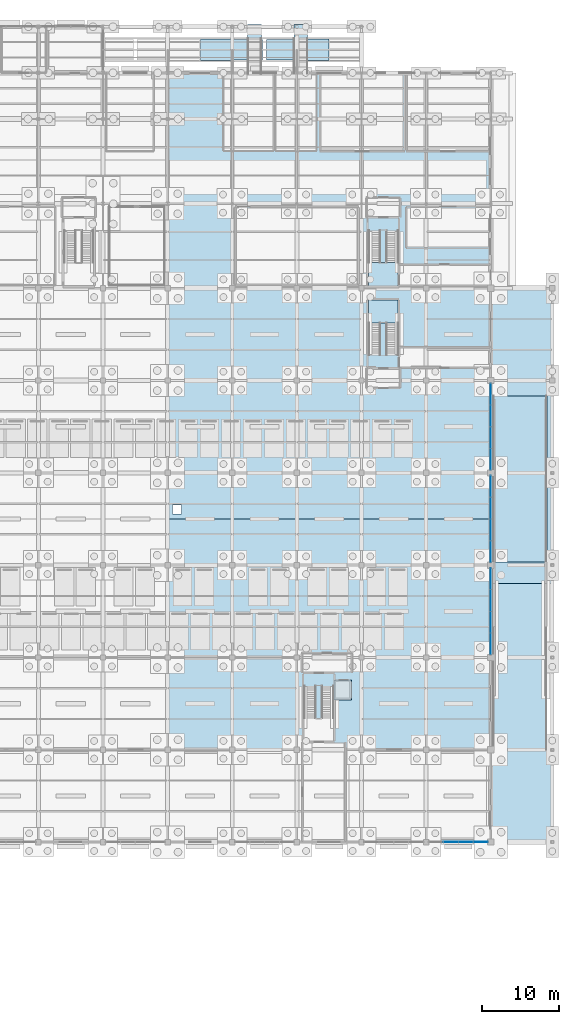
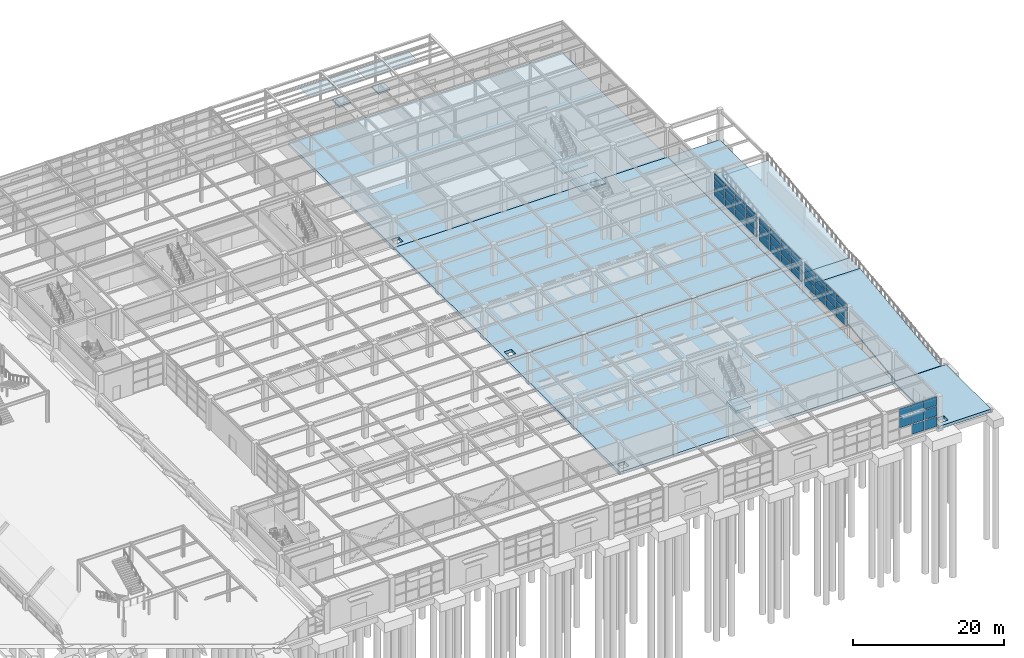
# One storey, part 91 of 129: 48 plates, 13 slabs, 8 elements without a shape of their own.
"""IFC4 building model written with IfcOpenShell, lengths in metres."""

from ifc_helpers import new_model, si_unit, direction, frame, origin, origin_2d, place, context, subcontext, project, spatial, polyline, rectangle, outline, extrude, material, layer, layer_set, type_object, element, aggregate, save


model = new_model("IFC4")

# Units and contexts
model_context = context("Model", 3, precision=1e-05, world=origin(), true_north=direction((0.0, 1.0)))
body_context = subcontext(model_context, "Body", "Model", "MODEL_VIEW")
ifc_project = project(units=[si_unit("LENGTHUNIT", "METRE"), si_unit("AREAUNIT", "SQUARE_METRE"), si_unit("VOLUMEUNIT", "CUBIC_METRE"), si_unit("PLANEANGLEUNIT", "RADIAN"), si_unit("MASSUNIT", "GRAM", prefix="KILO")], contexts=[model_context])

# Site, building, storey
site_placement = place(None, origin())
site = spatial("IfcSite", under=ifc_project, at=site_placement, CompositionType="ELEMENT")
building_placement = place(site_placement, origin())
building = spatial("IfcBuilding", under=site, at=building_placement, Name="Sitalva Quay Ferry Terminal", CompositionType="ELEMENT")
storey_placement = place(building_placement, origin())
storey = spatial("IfcBuildingStorey", under=building, at=storey_placement, Name="L01", CompositionType="ELEMENT", Elevation=0.0)

# Curtain wall, plates
ifc_material_1 = material(Name="Anodised Aluminium & Low-E Glazing", Category="aluminium")
ifc_layer_1 = layer(ifc_material_1, 0.159912109375)
ifc_layer_set_1 = layer_set([ifc_layer_1], Name="Anodised Aluminium & Low-E Glazing")
curtain_wall_type_1 = type_object("IfcCurtainWallType", Name="CW_Concourse_Unitised", PredefinedType="USERDEFINED", material=ifc_layer_set_1)
curtain_wall_1_placement = place(storey_placement, origin())
curtain_wall_1 = element("IfcCurtainWall", 1, at=curtain_wall_1_placement, inside=storey, type_object=curtain_wall_type_1, Name="South-east quay concourse curtain wall (CW-L01-072)", ObjectType="CURTAIN_WALL", PredefinedType="USERDEFINED")
ifc_material_2 = material(Name="Acoustic Laminated Marine Glazing", Category="glass")
ifc_layer_2 = layer(ifc_material_2, 0.033935546875)
ifc_layer_set_2 = layer_set([ifc_layer_2], Name="Acoustic Laminated Marine Glazing")
plate_type_1 = type_object("IfcPlateType", Name="Panel_Marine_IGU_34", PredefinedType="CURTAIN_PANEL", material=ifc_layer_set_2)
plate_1_placement = place(storey_placement, frame((162.83740234375, 6.0, 1.856689453125), z_axis=(0.0, 0.0, 1.0), x_axis=(1.0, 0.0, 0.0)))
plate_1 = element("IfcPlate", 2, at=plate_1_placement, type_object=plate_type_1, Name="CW-L01-072-P1-1", PredefinedType="CURTAIN_PANEL", context=body_context, shape_type="SweptSolid", body=[
    extrude(rectangle(XDim=1.840087890625, YDim=0.033935546875, at=origin_2d()), origin(), (0.0, 0.0, 1.0), 1.556640625),
])
plate_2_placement = place(storey_placement, frame((162.83740234375, 6.0, 3.563232421875), z_axis=(0.0, 0.0, 1.0), x_axis=(1.0, 0.0, 0.0)))
plate_2 = element("IfcPlate", 3, at=plate_2_placement, type_object=plate_type_1, Name="CW-L01-072-P1-2", PredefinedType="CURTAIN_PANEL", context=body_context, shape_type="SweptSolid", body=[
    extrude(rectangle(XDim=1.840087890625, YDim=0.033935546875, at=origin_2d()), origin(), (0.0, 0.0, 1.0), 1.40673828125),
])
plate_3_placement = place(storey_placement, frame((164.762451171875, 6.0, 1.856689453125), z_axis=(0.0, 0.0, 1.0), x_axis=(1.0, 0.0, 0.0)))
plate_3 = element("IfcPlate", 4, at=plate_3_placement, type_object=plate_type_1, Name="CW-L01-072-P2-1", PredefinedType="CURTAIN_PANEL", context=body_context, shape_type="SweptSolid", body=[
    extrude(rectangle(XDim=1.840087890625, YDim=0.033935546875, at=origin_2d()), origin(), (0.0, 0.0, 1.0), 1.556640625),
])
plate_4_placement = place(storey_placement, frame((164.762451171875, 6.0, 3.563232421875), z_axis=(0.0, 0.0, 1.0), x_axis=(1.0, 0.0, 0.0)))
plate_4 = element("IfcPlate", 5, at=plate_4_placement, type_object=plate_type_1, Name="CW-L01-072-P2-2", PredefinedType="CURTAIN_PANEL", context=body_context, shape_type="SweptSolid", body=[
    extrude(rectangle(XDim=1.840087890625, YDim=0.033935546875, at=origin_2d()), origin(), (0.0, 0.0, 1.0), 1.40673828125),
])
plate_5_placement = place(storey_placement, frame((166.6875, 6.0, 1.856689453125), z_axis=(0.0, 0.0, 1.0), x_axis=(1.0, 0.0, 0.0)))
plate_5 = element("IfcPlate", 6, at=plate_5_placement, type_object=plate_type_1, Name="CW-L01-072-P3-1", PredefinedType="CURTAIN_PANEL", context=body_context, shape_type="SweptSolid", body=[
    extrude(rectangle(XDim=1.840087890625, YDim=0.033935546875, at=origin_2d()), origin(), (0.0, 0.0, 1.0), 1.556640625),
])
plate_6_placement = place(storey_placement, frame((166.6875, 6.0, 3.563232421875), z_axis=(0.0, 0.0, 1.0), x_axis=(1.0, 0.0, 0.0)))
plate_6 = element("IfcPlate", 7, at=plate_6_placement, type_object=plate_type_1, Name="CW-L01-072-P3-2", PredefinedType="CURTAIN_PANEL", context=body_context, shape_type="SweptSolid", body=[
    extrude(rectangle(XDim=1.840087890625, YDim=0.033935546875, at=origin_2d()), origin(), (0.0, 0.0, 1.0), 1.40673828125),
])
ifc_material_3 = material(Name="Insulated Spandrel Cassette", Category="aluminium")
ifc_layer_3 = layer(ifc_material_3, 0.0400390625)
ifc_layer_set_3 = layer_set([ifc_layer_3], Name="Insulated Spandrel Cassette")
plate_type_2 = type_object("IfcPlateType", Name="Panel_Spandrel_Alu_40", PredefinedType="CURTAIN_PANEL", material=ifc_layer_set_3)
plate_7_placement = place(storey_placement, frame((164.762451171875, 6.0, 0.14990234375), z_axis=(0.0, 0.0, 1.0), x_axis=(1.0, 0.0, 0.0)))
plate_7 = element("IfcPlate", 8, at=plate_7_placement, type_object=plate_type_2, Name="CW-L01-072-P2-0", PredefinedType="CURTAIN_PANEL", context=body_context, shape_type="SweptSolid", body=[
    extrude(rectangle(XDim=1.840087890625, YDim=0.0400390625, at=origin_2d()), origin(), (0.0, 0.0, 1.0), 1.556640625),
])
plate_8_placement = place(storey_placement, frame((166.6875, 6.0, 0.14990234375), z_axis=(0.0, 0.0, 1.0), x_axis=(1.0, 0.0, 0.0)))
plate_8 = element("IfcPlate", 9, at=plate_8_placement, type_object=plate_type_2, Name="CW-L01-072-P3-0", PredefinedType="CURTAIN_PANEL", context=body_context, shape_type="SweptSolid", body=[
    extrude(rectangle(XDim=1.840087890625, YDim=0.0400390625, at=origin_2d()), origin(), (0.0, 0.0, 1.0), 1.556640625),
])
aggregate(curtain_wall_1, [plate_1, plate_2, plate_7, plate_3, plate_4, plate_8, plate_5, plate_6])

ifc_material_4 = material(Name="Anodised Aluminium & Low-E Glazing", Category="aluminium")
ifc_layer_4 = layer(ifc_material_4, 0.159912109375)
ifc_layer_set_4 = layer_set([ifc_layer_4], Name="Anodised Aluminium & Low-E Glazing")
curtain_wall_type_2 = type_object("IfcCurtainWallType", Name="CW_Coastal_Louvred", PredefinedType="USERDEFINED", material=ifc_layer_set_4)
curtain_wall_2_placement = place(storey_placement, origin())
curtain_wall_2 = element("IfcCurtainWall", 10, at=curtain_wall_2_placement, inside=storey, type_object=curtain_wall_type_2, Name="Ro-Ro east acoustic ventilation louvre screen (CW-L01-094)", ObjectType="CURTAIN_WALL", PredefinedType="USERDEFINED")
plate_9_placement = place(storey_placement, frame((168.0, 31.762451171875, 1.2998046875), z_axis=(0.0, 0.0, 1.0), x_axis=(0.0, 1.0, 0.0)))
plate_9 = element("IfcPlate", 11, at=plate_9_placement, type_object=plate_type_2, Name="CW-L01-094-P0-0", PredefinedType="CURTAIN_PANEL", context=body_context, shape_type="SweptSolid", body=[
    extrude(rectangle(XDim=2.7451171875, YDim=0.0400390625, at=origin_2d()), origin(), (0.0, 0.0, 1.0), 1.159912109375),
])
plate_10_placement = place(storey_placement, frame((168.0, 31.762451171875, 2.60986328125), z_axis=(0.0, 0.0, 1.0), x_axis=(0.0, 1.0, 0.0)))
plate_10 = element("IfcPlate", 12, at=plate_10_placement, type_object=plate_type_2, Name="CW-L01-094-P0-1", PredefinedType="CURTAIN_PANEL", context=body_context, shape_type="SweptSolid", body=[
    extrude(rectangle(XDim=2.7451171875, YDim=0.0400390625, at=origin_2d()), origin(), (0.0, 0.0, 1.0), 1.159912109375),
])
plate_11_placement = place(storey_placement, frame((168.0, 31.762451171875, 3.919921875), z_axis=(0.0, 0.0, 1.0), x_axis=(0.0, 1.0, 0.0)))
plate_11 = element("IfcPlate", 13, at=plate_11_placement, type_object=plate_type_2, Name="CW-L01-094-P0-2", PredefinedType="CURTAIN_PANEL", context=body_context, shape_type="SweptSolid", body=[
    extrude(rectangle(XDim=2.7451171875, YDim=0.0400390625, at=origin_2d()), origin(), (0.0, 0.0, 1.0), 1.010009765625),
])
plate_12_placement = place(storey_placement, frame((168.0, 34.58740234375, 1.2998046875), z_axis=(0.0, 0.0, 1.0), x_axis=(0.0, 1.0, 0.0)))
plate_12 = element("IfcPlate", 14, at=plate_12_placement, type_object=plate_type_2, Name="CW-L01-094-P1-0", PredefinedType="CURTAIN_PANEL", context=body_context, shape_type="SweptSolid", body=[
    extrude(rectangle(XDim=2.7451171875, YDim=0.0400390625, at=origin_2d()), origin(), (0.0, 0.0, 1.0), 1.159912109375),
])
plate_13_placement = place(storey_placement, frame((168.0, 34.58740234375, 2.60986328125), z_axis=(0.0, 0.0, 1.0), x_axis=(0.0, 1.0, 0.0)))
plate_13 = element("IfcPlate", 15, at=plate_13_placement, type_object=plate_type_2, Name="CW-L01-094-P1-1", PredefinedType="CURTAIN_PANEL", context=body_context, shape_type="SweptSolid", body=[
    extrude(rectangle(XDim=2.7451171875, YDim=0.0400390625, at=origin_2d()), origin(), (0.0, 0.0, 1.0), 1.159912109375),
])
plate_14_placement = place(storey_placement, frame((168.0, 34.58740234375, 3.919921875), z_axis=(0.0, 0.0, 1.0), x_axis=(0.0, 1.0, 0.0)))
plate_14 = element("IfcPlate", 16, at=plate_14_placement, type_object=plate_type_2, Name="CW-L01-094-P1-2", PredefinedType="CURTAIN_PANEL", context=body_context, shape_type="SweptSolid", body=[
    extrude(rectangle(XDim=2.7451171875, YDim=0.0400390625, at=origin_2d()), origin(), (0.0, 0.0, 1.0), 1.010009765625),
])
plate_15_placement = place(storey_placement, frame((168.0, 37.41259765625, 1.2998046875), z_axis=(0.0, 0.0, 1.0), x_axis=(0.0, 1.0, 0.0)))
plate_15 = element("IfcPlate", 17, at=plate_15_placement, type_object=plate_type_2, Name="CW-L01-094-P2-0", PredefinedType="CURTAIN_PANEL", context=body_context, shape_type="SweptSolid", body=[
    extrude(rectangle(XDim=2.7451171875, YDim=0.0400390625, at=origin_2d()), origin(), (0.0, 0.0, 1.0), 1.159912109375),
])
plate_16_placement = place(storey_placement, frame((168.0, 37.41259765625, 2.60986328125), z_axis=(0.0, 0.0, 1.0), x_axis=(0.0, 1.0, 0.0)))
plate_16 = element("IfcPlate", 18, at=plate_16_placement, type_object=plate_type_2, Name="CW-L01-094-P2-1", PredefinedType="CURTAIN_PANEL", context=body_context, shape_type="SweptSolid", body=[
    extrude(rectangle(XDim=2.7451171875, YDim=0.0400390625, at=origin_2d()), origin(), (0.0, 0.0, 1.0), 1.159912109375),
])
plate_17_placement = place(storey_placement, frame((168.0, 37.41259765625, 3.919921875), z_axis=(0.0, 0.0, 1.0), x_axis=(0.0, 1.0, 0.0)))
plate_17 = element("IfcPlate", 19, at=plate_17_placement, type_object=plate_type_2, Name="CW-L01-094-P2-2", PredefinedType="CURTAIN_PANEL", context=body_context, shape_type="SweptSolid", body=[
    extrude(rectangle(XDim=2.7451171875, YDim=0.0400390625, at=origin_2d()), origin(), (0.0, 0.0, 1.0), 1.010009765625),
])
plate_18_placement = place(storey_placement, frame((168.0, 40.237548828125, 1.2998046875), z_axis=(0.0, 0.0, 1.0), x_axis=(0.0, 1.0, 0.0)))
plate_18 = element("IfcPlate", 20, at=plate_18_placement, type_object=plate_type_2, Name="CW-L01-094-P3-0", PredefinedType="CURTAIN_PANEL", context=body_context, shape_type="SweptSolid", body=[
    extrude(rectangle(XDim=2.7451171875, YDim=0.0400390625, at=origin_2d()), origin(), (0.0, 0.0, 1.0), 1.159912109375),
])
plate_19_placement = place(storey_placement, frame((168.0, 40.237548828125, 2.60986328125), z_axis=(0.0, 0.0, 1.0), x_axis=(0.0, 1.0, 0.0)))
plate_19 = element("IfcPlate", 21, at=plate_19_placement, type_object=plate_type_2, Name="CW-L01-094-P3-1", PredefinedType="CURTAIN_PANEL", context=body_context, shape_type="SweptSolid", body=[
    extrude(rectangle(XDim=2.7451171875, YDim=0.0400390625, at=origin_2d()), origin(), (0.0, 0.0, 1.0), 1.159912109375),
])
plate_20_placement = place(storey_placement, frame((168.0, 40.237548828125, 3.919921875), z_axis=(0.0, 0.0, 1.0), x_axis=(0.0, 1.0, 0.0)))
plate_20 = element("IfcPlate", 22, at=plate_20_placement, type_object=plate_type_2, Name="CW-L01-094-P3-2", PredefinedType="CURTAIN_PANEL", context=body_context, shape_type="SweptSolid", body=[
    extrude(rectangle(XDim=2.7451171875, YDim=0.0400390625, at=origin_2d()), origin(), (0.0, 0.0, 1.0), 1.010009765625),
])
aggregate(curtain_wall_2, [plate_9, plate_10, plate_11, plate_12, plate_13, plate_14, plate_15, plate_16, plate_17, plate_18, plate_19, plate_20])

curtain_wall_3_placement = place(storey_placement, origin())
curtain_wall_3 = element("IfcCurtainWall", 23, at=curtain_wall_3_placement, inside=storey, type_object=curtain_wall_type_2, Name="Ro-Ro east acoustic ventilation louvre screen (CW-L01-096)", ObjectType="CURTAIN_WALL", PredefinedType="USERDEFINED")
plate_21_placement = place(storey_placement, frame((168.0, 43.762451171875, 1.2998046875), z_axis=(0.0, 0.0, 1.0), x_axis=(0.0, 1.0, 0.0)))
plate_21 = element("IfcPlate", 24, at=plate_21_placement, type_object=plate_type_2, Name="CW-L01-096-P0-0", PredefinedType="CURTAIN_PANEL", context=body_context, shape_type="SweptSolid", body=[
    extrude(rectangle(XDim=2.7451171875, YDim=0.0400390625, at=origin_2d()), origin(), (0.0, 0.0, 1.0), 1.159912109375),
])
plate_22_placement = place(storey_placement, frame((168.0, 43.762451171875, 2.60986328125), z_axis=(0.0, 0.0, 1.0), x_axis=(0.0, 1.0, 0.0)))
plate_22 = element("IfcPlate", 25, at=plate_22_placement, type_object=plate_type_2, Name="CW-L01-096-P0-1", PredefinedType="CURTAIN_PANEL", context=body_context, shape_type="SweptSolid", body=[
    extrude(rectangle(XDim=2.7451171875, YDim=0.0400390625, at=origin_2d()), origin(), (0.0, 0.0, 1.0), 1.159912109375),
])
plate_23_placement = place(storey_placement, frame((168.0, 43.762451171875, 3.919921875), z_axis=(0.0, 0.0, 1.0), x_axis=(0.0, 1.0, 0.0)))
plate_23 = element("IfcPlate", 26, at=plate_23_placement, type_object=plate_type_2, Name="CW-L01-096-P0-2", PredefinedType="CURTAIN_PANEL", context=body_context, shape_type="SweptSolid", body=[
    extrude(rectangle(XDim=2.7451171875, YDim=0.0400390625, at=origin_2d()), origin(), (0.0, 0.0, 1.0), 1.010009765625),
])
plate_24_placement = place(storey_placement, frame((168.0, 46.58740234375, 1.2998046875), z_axis=(0.0, 0.0, 1.0), x_axis=(0.0, 1.0, 0.0)))
plate_24 = element("IfcPlate", 27, at=plate_24_placement, type_object=plate_type_2, Name="CW-L01-096-P1-0", PredefinedType="CURTAIN_PANEL", context=body_context, shape_type="SweptSolid", body=[
    extrude(rectangle(XDim=2.7451171875, YDim=0.0400390625, at=origin_2d()), origin(), (0.0, 0.0, 1.0), 1.159912109375),
])
plate_25_placement = place(storey_placement, frame((168.0, 46.58740234375, 2.60986328125), z_axis=(0.0, 0.0, 1.0), x_axis=(0.0, 1.0, 0.0)))
plate_25 = element("IfcPlate", 28, at=plate_25_placement, type_object=plate_type_2, Name="CW-L01-096-P1-1", PredefinedType="CURTAIN_PANEL", context=body_context, shape_type="SweptSolid", body=[
    extrude(rectangle(XDim=2.7451171875, YDim=0.0400390625, at=origin_2d()), origin(), (0.0, 0.0, 1.0), 1.159912109375),
])
plate_26_placement = place(storey_placement, frame((168.0, 46.58740234375, 3.919921875), z_axis=(0.0, 0.0, 1.0), x_axis=(0.0, 1.0, 0.0)))
plate_26 = element("IfcPlate", 29, at=plate_26_placement, type_object=plate_type_2, Name="CW-L01-096-P1-2", PredefinedType="CURTAIN_PANEL", context=body_context, shape_type="SweptSolid", body=[
    extrude(rectangle(XDim=2.7451171875, YDim=0.0400390625, at=origin_2d()), origin(), (0.0, 0.0, 1.0), 1.010009765625),
])
plate_27_placement = place(storey_placement, frame((168.0, 49.41259765625, 1.2998046875), z_axis=(0.0, 0.0, 1.0), x_axis=(0.0, 1.0, 0.0)))
plate_27 = element("IfcPlate", 30, at=plate_27_placement, type_object=plate_type_2, Name="CW-L01-096-P2-0", PredefinedType="CURTAIN_PANEL", context=body_context, shape_type="SweptSolid", body=[
    extrude(rectangle(XDim=2.7451171875, YDim=0.0400390625, at=origin_2d()), origin(), (0.0, 0.0, 1.0), 1.159912109375),
])
plate_28_placement = place(storey_placement, frame((168.0, 49.41259765625, 2.60986328125), z_axis=(0.0, 0.0, 1.0), x_axis=(0.0, 1.0, 0.0)))
plate_28 = element("IfcPlate", 31, at=plate_28_placement, type_object=plate_type_2, Name="CW-L01-096-P2-1", PredefinedType="CURTAIN_PANEL", context=body_context, shape_type="SweptSolid", body=[
    extrude(rectangle(XDim=2.7451171875, YDim=0.0400390625, at=origin_2d()), origin(), (0.0, 0.0, 1.0), 1.159912109375),
])
plate_29_placement = place(storey_placement, frame((168.0, 49.41259765625, 3.919921875), z_axis=(0.0, 0.0, 1.0), x_axis=(0.0, 1.0, 0.0)))
plate_29 = element("IfcPlate", 32, at=plate_29_placement, type_object=plate_type_2, Name="CW-L01-096-P2-2", PredefinedType="CURTAIN_PANEL", context=body_context, shape_type="SweptSolid", body=[
    extrude(rectangle(XDim=2.7451171875, YDim=0.0400390625, at=origin_2d()), origin(), (0.0, 0.0, 1.0), 1.010009765625),
])
plate_30_placement = place(storey_placement, frame((168.0, 52.237548828125, 1.2998046875), z_axis=(0.0, 0.0, 1.0), x_axis=(0.0, 1.0, 0.0)))
plate_30 = element("IfcPlate", 33, at=plate_30_placement, type_object=plate_type_2, Name="CW-L01-096-P3-0", PredefinedType="CURTAIN_PANEL", context=body_context, shape_type="SweptSolid", body=[
    extrude(rectangle(XDim=2.7451171875, YDim=0.0400390625, at=origin_2d()), origin(), (0.0, 0.0, 1.0), 1.159912109375),
])
plate_31_placement = place(storey_placement, frame((168.0, 52.237548828125, 2.60986328125), z_axis=(0.0, 0.0, 1.0), x_axis=(0.0, 1.0, 0.0)))
plate_31 = element("IfcPlate", 34, at=plate_31_placement, type_object=plate_type_2, Name="CW-L01-096-P3-1", PredefinedType="CURTAIN_PANEL", context=body_context, shape_type="SweptSolid", body=[
    extrude(rectangle(XDim=2.7451171875, YDim=0.0400390625, at=origin_2d()), origin(), (0.0, 0.0, 1.0), 1.159912109375),
])
plate_32_placement = place(storey_placement, frame((168.0, 52.237548828125, 3.919921875), z_axis=(0.0, 0.0, 1.0), x_axis=(0.0, 1.0, 0.0)))
plate_32 = element("IfcPlate", 35, at=plate_32_placement, type_object=plate_type_2, Name="CW-L01-096-P3-2", PredefinedType="CURTAIN_PANEL", context=body_context, shape_type="SweptSolid", body=[
    extrude(rectangle(XDim=2.7451171875, YDim=0.0400390625, at=origin_2d()), origin(), (0.0, 0.0, 1.0), 1.010009765625),
])
aggregate(curtain_wall_3, [plate_21, plate_22, plate_23, plate_24, plate_25, plate_26, plate_27, plate_28, plate_29, plate_30, plate_31, plate_32])

curtain_wall_4_placement = place(storey_placement, origin())
curtain_wall_4 = element("IfcCurtainWall", 36, at=curtain_wall_4_placement, inside=storey, type_object=curtain_wall_type_2, Name="Ro-Ro east acoustic ventilation louvre screen (CW-L01-098)", ObjectType="CURTAIN_WALL", PredefinedType="USERDEFINED")
plate_33_placement = place(storey_placement, frame((168.0, 55.762451171875, 1.2998046875), z_axis=(0.0, 0.0, 1.0), x_axis=(0.0, 1.0, 0.0)))
plate_33 = element("IfcPlate", 37, at=plate_33_placement, type_object=plate_type_2, Name="CW-L01-098-P0-0", PredefinedType="CURTAIN_PANEL", context=body_context, shape_type="SweptSolid", body=[
    extrude(rectangle(XDim=2.7451171875, YDim=0.0400390625, at=origin_2d()), origin(), (0.0, 0.0, 1.0), 1.159912109375),
])
plate_34_placement = place(storey_placement, frame((168.0, 55.762451171875, 2.60986328125), z_axis=(0.0, 0.0, 1.0), x_axis=(0.0, 1.0, 0.0)))
plate_34 = element("IfcPlate", 38, at=plate_34_placement, type_object=plate_type_2, Name="CW-L01-098-P0-1", PredefinedType="CURTAIN_PANEL", context=body_context, shape_type="SweptSolid", body=[
    extrude(rectangle(XDim=2.7451171875, YDim=0.0400390625, at=origin_2d()), origin(), (0.0, 0.0, 1.0), 1.159912109375),
])
plate_35_placement = place(storey_placement, frame((168.0, 55.762451171875, 3.919921875), z_axis=(0.0, 0.0, 1.0), x_axis=(0.0, 1.0, 0.0)))
plate_35 = element("IfcPlate", 39, at=plate_35_placement, type_object=plate_type_2, Name="CW-L01-098-P0-2", PredefinedType="CURTAIN_PANEL", context=body_context, shape_type="SweptSolid", body=[
    extrude(rectangle(XDim=2.7451171875, YDim=0.0400390625, at=origin_2d()), origin(), (0.0, 0.0, 1.0), 1.010009765625),
])
plate_36_placement = place(storey_placement, frame((168.0, 58.58740234375, 1.2998046875), z_axis=(0.0, 0.0, 1.0), x_axis=(0.0, 1.0, 0.0)))
plate_36 = element("IfcPlate", 40, at=plate_36_placement, type_object=plate_type_2, Name="CW-L01-098-P1-0", PredefinedType="CURTAIN_PANEL", context=body_context, shape_type="SweptSolid", body=[
    extrude(rectangle(XDim=2.7451171875, YDim=0.0400390625, at=origin_2d()), origin(), (0.0, 0.0, 1.0), 1.159912109375),
])
plate_37_placement = place(storey_placement, frame((168.0, 58.58740234375, 2.60986328125), z_axis=(0.0, 0.0, 1.0), x_axis=(0.0, 1.0, 0.0)))
plate_37 = element("IfcPlate", 41, at=plate_37_placement, type_object=plate_type_2, Name="CW-L01-098-P1-1", PredefinedType="CURTAIN_PANEL", context=body_context, shape_type="SweptSolid", body=[
    extrude(rectangle(XDim=2.7451171875, YDim=0.0400390625, at=origin_2d()), origin(), (0.0, 0.0, 1.0), 1.159912109375),
])
plate_38_placement = place(storey_placement, frame((168.0, 58.58740234375, 3.919921875), z_axis=(0.0, 0.0, 1.0), x_axis=(0.0, 1.0, 0.0)))
plate_38 = element("IfcPlate", 42, at=plate_38_placement, type_object=plate_type_2, Name="CW-L01-098-P1-2", PredefinedType="CURTAIN_PANEL", context=body_context, shape_type="SweptSolid", body=[
    extrude(rectangle(XDim=2.7451171875, YDim=0.0400390625, at=origin_2d()), origin(), (0.0, 0.0, 1.0), 1.010009765625),
])
plate_39_placement = place(storey_placement, frame((168.0, 61.41259765625, 1.2998046875), z_axis=(0.0, 0.0, 1.0), x_axis=(0.0, 1.0, 0.0)))
plate_39 = element("IfcPlate", 43, at=plate_39_placement, type_object=plate_type_2, Name="CW-L01-098-P2-0", PredefinedType="CURTAIN_PANEL", context=body_context, shape_type="SweptSolid", body=[
    extrude(rectangle(XDim=2.7451171875, YDim=0.0400390625, at=origin_2d()), origin(), (0.0, 0.0, 1.0), 1.159912109375),
])
plate_40_placement = place(storey_placement, frame((168.0, 61.41259765625, 2.60986328125), z_axis=(0.0, 0.0, 1.0), x_axis=(0.0, 1.0, 0.0)))
plate_40 = element("IfcPlate", 44, at=plate_40_placement, type_object=plate_type_2, Name="CW-L01-098-P2-1", PredefinedType="CURTAIN_PANEL", context=body_context, shape_type="SweptSolid", body=[
    extrude(rectangle(XDim=2.7451171875, YDim=0.0400390625, at=origin_2d()), origin(), (0.0, 0.0, 1.0), 1.159912109375),
])
plate_41_placement = place(storey_placement, frame((168.0, 61.41259765625, 3.919921875), z_axis=(0.0, 0.0, 1.0), x_axis=(0.0, 1.0, 0.0)))
plate_41 = element("IfcPlate", 45, at=plate_41_placement, type_object=plate_type_2, Name="CW-L01-098-P2-2", PredefinedType="CURTAIN_PANEL", context=body_context, shape_type="SweptSolid", body=[
    extrude(rectangle(XDim=2.7451171875, YDim=0.0400390625, at=origin_2d()), origin(), (0.0, 0.0, 1.0), 1.010009765625),
])
plate_42_placement = place(storey_placement, frame((168.0, 64.237548828125, 1.2998046875), z_axis=(0.0, 0.0, 1.0), x_axis=(0.0, 1.0, 0.0)))
plate_42 = element("IfcPlate", 46, at=plate_42_placement, type_object=plate_type_2, Name="CW-L01-098-P3-0", PredefinedType="CURTAIN_PANEL", context=body_context, shape_type="SweptSolid", body=[
    extrude(rectangle(XDim=2.7451171875, YDim=0.0400390625, at=origin_2d()), origin(), (0.0, 0.0, 1.0), 1.159912109375),
])
plate_43_placement = place(storey_placement, frame((168.0, 64.237548828125, 2.60986328125), z_axis=(0.0, 0.0, 1.0), x_axis=(0.0, 1.0, 0.0)))
plate_43 = element("IfcPlate", 47, at=plate_43_placement, type_object=plate_type_2, Name="CW-L01-098-P3-1", PredefinedType="CURTAIN_PANEL", context=body_context, shape_type="SweptSolid", body=[
    extrude(rectangle(XDim=2.7451171875, YDim=0.0400390625, at=origin_2d()), origin(), (0.0, 0.0, 1.0), 1.159912109375),
])
plate_44_placement = place(storey_placement, frame((168.0, 64.237548828125, 3.919921875), z_axis=(0.0, 0.0, 1.0), x_axis=(0.0, 1.0, 0.0)))
plate_44 = element("IfcPlate", 48, at=plate_44_placement, type_object=plate_type_2, Name="CW-L01-098-P3-2", PredefinedType="CURTAIN_PANEL", context=body_context, shape_type="SweptSolid", body=[
    extrude(rectangle(XDim=2.7451171875, YDim=0.0400390625, at=origin_2d()), origin(), (0.0, 0.0, 1.0), 1.010009765625),
])
aggregate(curtain_wall_4, [plate_33, plate_34, plate_35, plate_36, plate_37, plate_38, plate_39, plate_40, plate_41, plate_42, plate_43, plate_44])

# Slabs
ifc_material_5 = material(Name="Concrete C35/45", Category="concrete")
ifc_layer_5 = layer(ifc_material_5, 0.5)
ifc_layer_set_5 = layer_set([ifc_layer_5], Name="Concrete C35/45")
slab_type_1 = type_object("IfcSlabType", Name="Slab_ApronHeavy_500", PredefinedType="BASESLAB", material=ifc_layer_set_5)
slab_1_placement = place(storey_placement, frame((0.0, 0.0, -0.5)))
element("IfcSlab", 49, at=slab_1_placement, inside=storey, type_object=slab_type_1, Name="L01 Ro-Ro deck SE base 019", PredefinedType="BASESLAB", context=body_context, shape_type="SweptSolid", body=[
    extrude(outline(polyline([(126.0, 18.0), (168.0, 18.0), (168.0, 48.0), (126.0, 48.0), (126.0, 18.0)]), holes=[polyline([(126.64990234375, 18.64990234375), (126.64990234375, 19.800048828125), (127.800048828125, 19.800048828125), (127.800048828125, 18.64990234375), (126.64990234375, 18.64990234375)])]), origin(), (0.0, 0.0, 1.0), 0.5),
])
slab_2_placement = place(storey_placement, frame((0.0, 0.0, -0.5)))
element("IfcSlab", 50, at=slab_2_placement, inside=storey, type_object=slab_type_1, Name="L01 Ro-Ro deck NE base 021", PredefinedType="BASESLAB", context=body_context, shape_type="SweptSolid", body=[
    extrude(outline(polyline([(126.0, 48.0), (168.0, 48.0), (168.0, 78.0), (126.0, 78.0), (126.0, 48.0)]), holes=[polyline([(126.64990234375, 48.64990234375), (126.64990234375, 49.800048828125), (127.800048828125, 49.800048828125), (127.800048828125, 48.64990234375), (126.64990234375, 48.64990234375)])]), origin(), (0.0, 0.0, 1.0), 0.5),
])
slab_3_placement = place(storey_placement, frame((0.0, 0.0, -0.5)))
element("IfcSlab", 51, at=slab_3_placement, inside=storey, type_object=slab_type_1, Name="L01 East pier south HGV and ramp approach apron 022", PredefinedType="BASESLAB", context=body_context, shape_type="SweptSolid", body=[
    extrude(outline(polyline([(168.0, 6.0), (176.0, 6.0), (176.0, 17.949951171875), (168.0, 17.949951171875), (168.0, 6.0)]), holes=[polyline([(168.64990234375, 6.64990234375), (168.64990234375, 7.800048828125), (169.800048828125, 7.800048828125), (169.800048828125, 6.64990234375), (168.64990234375, 6.64990234375)])]), origin(), (0.0, 0.0, 1.0), 0.5),
])
slab_4_placement = place(storey_placement, frame((0.0, 0.0, -0.5)))
element("IfcSlab", 52, at=slab_4_placement, inside=storey, type_object=slab_type_1, Name="L01 East pier north ramp undercroft and HGV apron 023", PredefinedType="BASESLAB", context=body_context, shape_type="SweptSolid", body=[
    extrude(outline(polyline([(168.0, 39.64990234375), (176.0, 39.64990234375), (176.0, 78.0), (168.0, 78.0), (168.0, 39.64990234375)]), holes=[polyline([(168.64990234375, 40.300048828125), (168.64990234375, 41.449951171875), (169.800048828125, 41.449951171875), (169.800048828125, 40.300048828125), (168.64990234375, 40.300048828125)])]), origin(), (0.0, 0.0, 1.0), 0.5),
])
ifc_material_6 = material(Name="Concrete C35/45", Category="concrete")
ifc_layer_6 = layer(ifc_material_6, 0.419921875)
ifc_layer_set_6 = layer_set([ifc_layer_6], Name="Concrete C35/45")
slab_type_2 = type_object("IfcSlabType", Name="Slab_LiftPit_420", PredefinedType="BASESLAB", material=ifc_layer_set_6)
slab_5_placement = place(storey_placement, frame((0.0, 0.0, -2.02001953125)))
element("IfcSlab", 53, at=slab_5_placement, inside=storey, type_object=slab_type_2, Name="Lift LF-07 pit base slab", PredefinedType="BASESLAB", context=body_context, shape_type="SweptSolid", body=[
    extrude(outline(polyline([(147.60009765625, 24.5), (149.89990234375, 24.5), (149.89990234375, 27.10009765625), (147.60009765625, 27.10009765625), (147.60009765625, 24.5)])), origin(), (0.0, 0.0, 1.0), 0.419921875),
])
ifc_material_7 = material(Name="Concrete C35/45", Category="concrete")
ifc_layer_7 = layer(ifc_material_7, 0.449951171875)
ifc_layer_set_7 = layer_set([ifc_layer_7], Name="Concrete C35/45")
slab_type_3 = type_object("IfcSlabType", Name="Slab_QuayBase_450", PredefinedType="BASESLAB", material=ifc_layer_set_7)
slab_6_placement = place(storey_placement, frame((0.0, 0.0, -0.449951171875)))
element("IfcSlab", 54, at=slab_6_placement, inside=storey, type_object=slab_type_3, Name="L01 North wing far-east base 027", PredefinedType="BASESLAB", context=body_context, shape_type="SweptSolid", body=[
    extrude(outline(polyline([(126.0, 78.0), (168.0, 78.0), (168.0, 106.0), (126.0, 106.0), (126.0, 78.0)]), holes=[polyline([(126.64990234375, 78.64990234375), (126.64990234375, 79.800048828125), (127.800048828125, 79.800048828125), (127.800048828125, 78.64990234375), (126.64990234375, 78.64990234375)])]), origin(), (0.0, 0.0, 1.0), 0.449951171875),
])
ifc_material_8 = material(Name="Concrete C35/45", Category="concrete")
ifc_layer_8 = layer(ifc_material_8, 0.300048828125)
ifc_layer_set_8 = layer_set([ifc_layer_8], Name="Concrete C35/45")
slab_type_4 = type_object("IfcSlabType", Name="Slab_RampLanding_300", PredefinedType="LANDING", material=ifc_layer_set_8)
slab_7_placement = place(storey_placement, frame((0.0, 0.0, 2.39990234375)))
element("IfcSlab", 55, at=slab_7_placement, inside=storey, type_object=slab_type_4, Name="Vehicle ramp VR-01 mid-landing", PredefinedType="LANDING", context=body_context, shape_type="SweptSolid", body=[
    extrude(outline(polyline([(168.300048828125, 39.60009765625), (175.300048828125, 39.60009765625), (175.300048828125, 42.39990234375), (168.300048828125, 42.39990234375), (168.300048828125, 39.60009765625)])), origin(), (0.0, 0.0, 1.0), 0.300048828125),
])

# Ramp, slab
ifc_material_9 = material(Name="Concrete C35/45", Category="concrete")
ifc_layer_9 = layer(ifc_material_9, 0.25)
ifc_layer_set_9 = layer_set([ifc_layer_9], Name="Concrete C35/45")
ramp_type = type_object("IfcRampType", Name="Ramp_PedestrianAccess_1800", PredefinedType="STRAIGHT_RUN_RAMP", material=ifc_layer_set_9)
ramp_1_placement = place(storey_placement, origin())
ramp_1 = element("IfcRamp", 56, at=ramp_1_placement, inside=storey, type_object=ramp_type, Name="East landside entrance accessible ramp", PredefinedType="STRAIGHT_RUN_RAMP")
slab_8_placement = place(storey_placement, frame((0.0, 0.0, -0.679931640625)))
slab_8 = element("IfcSlab", 57, at=slab_8_placement, type_object=slab_type_4, Name="East landside entrance accessible ramp bottom landing", PredefinedType="LANDING", context=body_context, shape_type="SweptSolid", body=[
    extrude(outline(polyline([(136.39990234375, 110.5), (138.199951171875, 110.5), (138.199951171875, 112.300048828125), (136.39990234375, 112.300048828125), (136.39990234375, 110.5)])), origin(), (0.0, 0.0, 1.0), 0.300048828125),
])
aggregate(ramp_1, [slab_8])

ramp_2_placement = place(storey_placement, origin())
ramp_2 = element("IfcRamp", 58, at=ramp_2_placement, inside=storey, type_object=ramp_type, Name="East forecourt arrival accessible ramp", PredefinedType="STRAIGHT_RUN_RAMP")
slab_9_placement = place(storey_placement, frame((0.0, 0.0, -0.679931640625)))
slab_9 = element("IfcSlab", 59, at=slab_9_placement, type_object=slab_type_4, Name="East forecourt arrival accessible ramp bottom landing", PredefinedType="LANDING", context=body_context, shape_type="SweptSolid", body=[
    extrude(outline(polyline([(142.39990234375, 110.5), (144.199951171875, 110.5), (144.199951171875, 112.300048828125), (142.39990234375, 112.300048828125), (142.39990234375, 110.5)])), origin(), (0.0, 0.0, 1.0), 0.300048828125),
])
aggregate(ramp_2, [slab_9])

# Stair, slab
ifc_material_10 = material(Name="Concrete C35/45", Category="concrete")
stair_type = type_object("IfcStairType", Name="Stair_CoreDogLeg_1400", PredefinedType="HALF_TURN_STAIR", material=ifc_material_10)
stair_1_placement = place(storey_placement, origin())
stair_1 = element("IfcStair", 60, at=stair_1_placement, inside=storey, type_object=stair_type, Name="L01 Core C9 stair ST-09", PredefinedType="HALF_TURN_STAIR")
ifc_material_11 = material(Name="Concrete C35/45", Category="concrete")
ifc_layer_10 = layer(ifc_material_11, 0.199951171875)
ifc_layer_set_10 = layer_set([ifc_layer_10], Name="Concrete C35/45")
slab_type_5 = type_object("IfcSlabType", Name="Slab_StairLanding_200", PredefinedType="LANDING", material=ifc_layer_set_10)
slab_10_placement = place(storey_placement, frame((0.0, 0.0, 2.5)))
slab_10 = element("IfcSlab", 61, at=slab_10_placement, type_object=slab_type_5, Name="ST-09 landing 1", PredefinedType="LANDING", context=body_context, shape_type="SweptSolid", body=[
    extrude(outline(polyline([(155.97998046875, 73.47998046875), (155.97998046875, 76.47998046875), (152.1201171875, 76.47998046875), (152.1201171875, 73.47998046875), (155.97998046875, 73.47998046875)])), origin(), (0.0, 0.0, 1.0), 0.199951171875),
])
aggregate(stair_1, [slab_10])

stair_2_placement = place(storey_placement, origin())
stair_2 = element("IfcStair", 62, at=stair_2_placement, inside=storey, type_object=stair_type, Name="L01 Core C10 stair ST-10", PredefinedType="HALF_TURN_STAIR")
slab_11_placement = place(storey_placement, frame((0.0, 0.0, 2.5)))
slab_11 = element("IfcSlab", 63, at=slab_11_placement, type_object=slab_type_5, Name="ST-10 landing 1", PredefinedType="LANDING", context=body_context, shape_type="SweptSolid", body=[
    extrude(outline(polyline([(152.1201171875, 81.320068359375), (152.1201171875, 78.320068359375), (155.97998046875, 78.320068359375), (155.97998046875, 81.320068359375), (152.1201171875, 81.320068359375)])), origin(), (0.0, 0.0, 1.0), 0.199951171875),
])
aggregate(stair_2, [slab_11])

# Slabs
ifc_material_12 = material(Name="Concrete C35/45", Category="concrete")
ifc_layer_11 = layer(ifc_material_12, 0.260009765625)
ifc_layer_set_11 = layer_set([ifc_layer_11], Name="Concrete C35/45")
slab_type_6 = type_object("IfcSlabType", Name="Slab_VehicleRamp_260", PredefinedType="FLOOR", material=ifc_layer_set_11)
for number, where, z_axis, x_axis, name in (
    (64, (168.300048828125, 18.0, 0.0), (0.0, -0.124031973856, 0.992278221801), (1.0, 0.0, 0.0), "Vehicle ramp VR-01 lower structural slab"),
    (65, (168.300048828125, 42.39990234375, 2.699951171875), (0.0, -0.124031973856, 0.992278221801), (1.0, 0.0, 0.0), "Vehicle ramp VR-01 upper structural slab"),
):
    element("IfcSlab", number, at=place(storey_placement, frame(where, z_axis=z_axis, x_axis=x_axis)), inside=storey, type_object=slab_type_6, Name=name, PredefinedType="FLOOR", context=body_context, shape_type="SweptSolid", body=[
        extrude(outline(polyline([(0.0, 0.0), (7.0, 0.0), (7.0, 21.76818676624321), (0.0, 21.76818676624321), (0.0, 0.0)])), origin(), (0.0, -0.124031973856, -0.992278221801), 0.261962890625),
    ])

# Plates
ifc_material_13 = material(Name="Anodised Aluminium 6063-T6", Category="aluminium")
ifc_layer_12 = layer(ifc_material_13, 0.013916015625)
ifc_layer_set_12 = layer_set([ifc_layer_12], Name="Anodised Aluminium 6063-T6")
plate_type_3 = type_object("IfcPlateType", Name="SoffitSheet_4000x2700x14", PredefinedType="SHEET", material=ifc_layer_set_12)
for number, where, z_axis, x_axis, name in (
    (66, (136.35009765625, 109.0, 4.84912109375), (0.0, 0.0, 1.0), (1.0, 0.0, 0.0), "Canopy soffit cassette 11"),
    (67, (140.85009765625, 109.0, 4.84912109375), (0.0, 0.0, 1.0), (1.0, 0.0, 0.0), "Canopy soffit cassette 12"),
):
    element("IfcPlate", number, at=place(storey_placement, frame(where, z_axis=z_axis, x_axis=x_axis)), inside=storey, type_object=plate_type_3, Name=name, PredefinedType="SHEET", context=body_context, shape_type="SweptSolid", body=[
        extrude(rectangle(XDim=4.0, YDim=2.699951171875, at=origin_2d()), origin(), (0.0, 0.0, 1.0), 0.013916015625),
    ])
ifc_material_14 = material(Name="Anodised Aluminium 6063-T6", Category="aluminium")
ifc_layer_13 = layer(ifc_material_14, 0.013916015625)
ifc_layer_set_13 = layer_set([ifc_layer_13], Name="Anodised Aluminium 6063-T6")
plate_type_4 = type_object("IfcPlateType", Name="SoffitSheet_4200x2800x14", PredefinedType="SHEET", material=ifc_layer_set_13)
for number, where, z_axis, x_axis, name in (
    (68, (132.35009765625, 109.0, 4.84912109375), (0.0, 0.0, 1.0), (1.0, 0.0, 0.0), "Canopy soffit cassette 10"),
    (69, (144.85009765625, 109.0, 4.84912109375), (0.0, 0.0, 1.0), (1.0, 0.0, 0.0), "Canopy soffit cassette 13"),
):
    element("IfcPlate", number, at=place(storey_placement, frame(where, z_axis=z_axis, x_axis=x_axis)), inside=storey, type_object=plate_type_4, Name=name, PredefinedType="SHEET", context=body_context, shape_type="SweptSolid", body=[
        extrude(rectangle(XDim=4.199951171875, YDim=2.800048828125, at=origin_2d()), origin(), (0.0, 0.0, 1.0), 0.013916015625),
    ])

save(model, "model.ifc")
